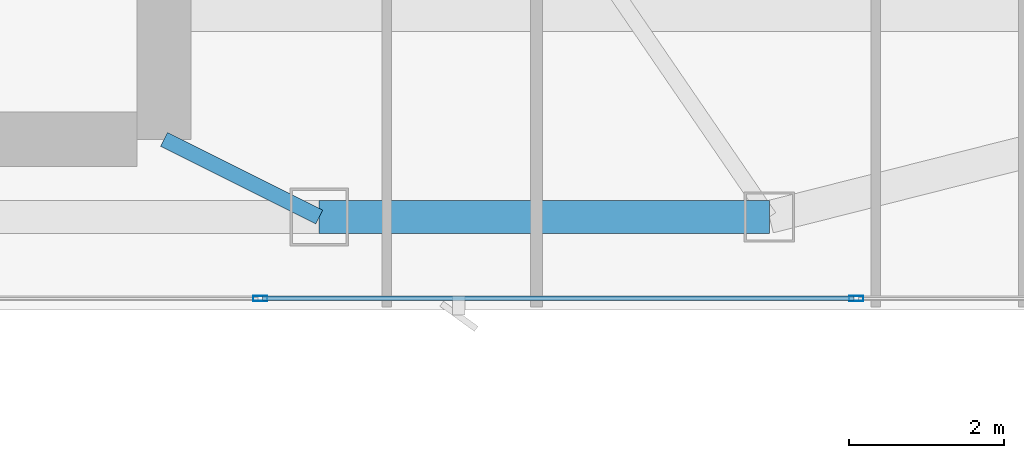
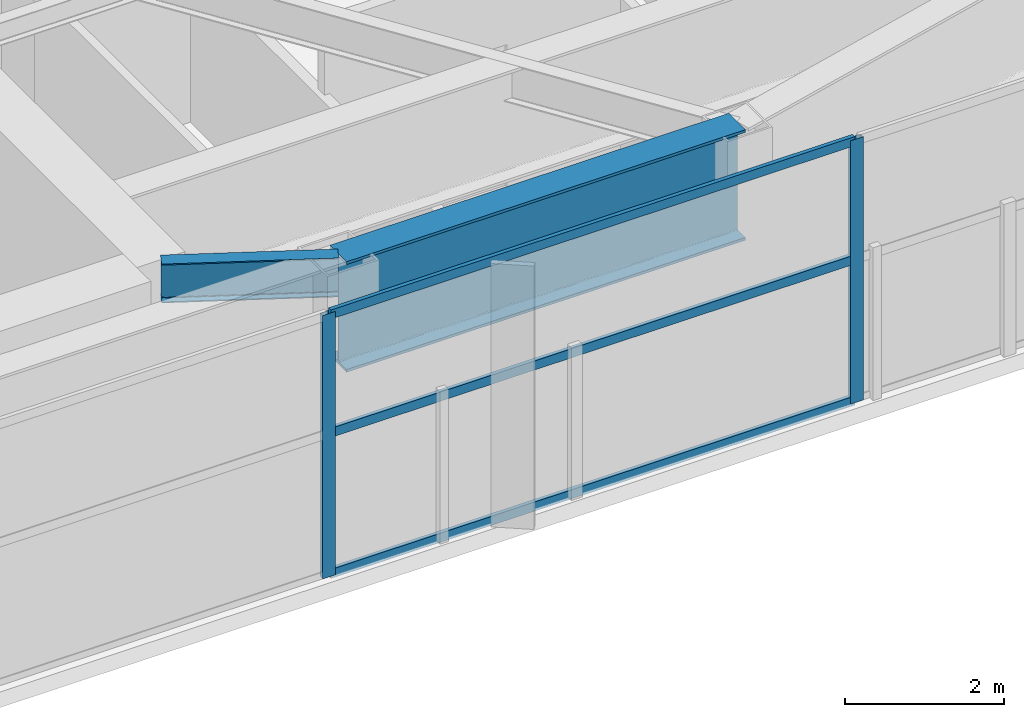
# One storey, part 12 of 29: 5 members, 2 beams, 1 element without a shape of its own.
"""IFC4 building model written with IfcOpenShell, lengths in metres."""

from ifc_helpers import new_model, si_unit, direction, frame, origin, origin_2d, place, context, subcontext, project, spatial, hollow_rectangle, i_section, extrude, material, layer, layer_set, material_profile, profile_set, type_object, element, aggregate, save


model = new_model("IFC4")

# Units and contexts
model_context = context("Model", 3, precision=1e-05, world=origin(), true_north=direction((0.0, 1.0)))
body_context = subcontext(model_context, "Body", "Model", "MODEL_VIEW")
ifc_project = project(units=[si_unit("LENGTHUNIT", "METRE"), si_unit("AREAUNIT", "SQUARE_METRE"), si_unit("VOLUMEUNIT", "CUBIC_METRE"), si_unit("PLANEANGLEUNIT", "RADIAN"), si_unit("MASSUNIT", "GRAM", prefix="KILO")], contexts=[model_context])

# Site, building, storey
site_placement = place(None, origin())
site = spatial("IfcSite", under=ifc_project, at=site_placement, CompositionType="ELEMENT")
building_placement = place(site_placement, origin())
building = spatial("IfcBuilding", under=site, at=building_placement, Name="Calvorn Quay Hotel", CompositionType="ELEMENT")
storey_placement = place(building_placement, frame((0.0, 0.0, 214.800048828125)))
storey = spatial("IfcBuildingStorey", under=building, at=storey_placement, Name="L53", CompositionType="ELEMENT", Elevation=214.800048828125)

# Beams
ifc_material_1 = material(Name="Steel Q355B", Category="steel")
ifc_material_profile_1 = material_profile(ifc_material_1, i_section(OverallWidth=0.199951171875, OverallDepth=0.60009765625, WebThickness=0.010986328125, FlangeThickness=0.01708984375, FilletRadius=0.01806640625, at=origin_2d()), Name="HN600x200x11x17")
ifc_profile_set_1 = profile_set([ifc_material_profile_1], Name="Steel Q355B")
beam_type_1 = type_object("IfcBeamType", Name="BM-GIRD-TYP", PredefinedType="BEAM", material=ifc_profile_set_1)
beam_1_placement = place(storey_placement, frame((34.39990234375, 3.60009765625, 3.75), z_axis=(-0.894427191, 0.4472135955, 0.0), x_axis=(-0.4472135955, -0.894427191, 0.0)))
element("IfcBeam", 1, at=beam_1_placement, inside=storey, type_object=beam_type_1, Name="Beam BG-L53-S3", PredefinedType="BEAM", context=body_context, shape_type="SweptSolid", body=[
    extrude(i_section(OverallWidth=0.199951171875, OverallDepth=0.60009765625, WebThickness=0.010986328125, FlangeThickness=0.01708984375, FilletRadius=0.01806640625, at=origin_2d()), origin(), (0.0, 0.0, 1.0), 2.236083984375),
])
ifc_material_2 = material(Name="Steel Q420GJC", Category="steel")
ifc_material_profile_2 = material_profile(ifc_material_2, i_section(OverallWidth=0.419921875, OverallDepth=1.699951171875, WebThickness=0.02392578125, FlangeThickness=0.0419921875, FilletRadius=0.02392578125, at=origin_2d()), Name="HN1700x420x24x42")
ifc_profile_set_2 = profile_set([ifc_material_profile_2], Name="Steel Q420GJC")
beam_type_2 = type_object("IfcBeamType", Name="BM-XFER-SAWTOOTH", PredefinedType="BEAM", material=ifc_profile_set_2)
beam_2_placement = place(storey_placement, frame((34.39990234375, 3.60009765625, 3.199951171875), z_axis=(1.0, 0.0, 0.0), x_axis=(0.0, 1.0, 0.0)))
element("IfcBeam", 2, at=beam_2_placement, inside=storey, type_object=beam_type_2, Name="Beam BSP-L53-S4", PredefinedType="BEAM", context=body_context, shape_type="SweptSolid", body=[
    extrude(i_section(OverallWidth=0.419921875, OverallDepth=1.699951171875, WebThickness=0.02392578125, FlangeThickness=0.0419921875, FilletRadius=0.02392578125, at=origin_2d()), origin(), (0.0, 0.0, 1.0), 5.800048828125),
])

# Curtain wall, members
ifc_material_3 = material(Name="Champagne Bronze Anodised Aluminium and Low-E Glass", Category="aluminium")
ifc_layer = layer(ifc_material_3, 0.219970703125)
ifc_layer_set = layer_set([ifc_layer], Name="CW-SYS-Z3")
curtain_wall_type = type_object("IfcCurtainWallType", Name="CW-SYS-Z3", PredefinedType="NOTDEFINED", material=ifc_layer_set)
curtain_wall_placement = place(storey_placement, origin())
curtain_wall = element("IfcCurtainWall", 3, at=curtain_wall_placement, inside=storey, type_object=curtain_wall_type, Name="Tower South Waterfront Curtain Wall (L53)", PredefinedType="NOTDEFINED")
ifc_material_4 = material(Name="Champagne Bronze Anodised Aluminium 6063-T6", Category="aluminium")
ifc_material_profile_3 = material_profile(ifc_material_4, hollow_rectangle(XDim=0.068115234375, YDim=0.18505859375, WallThickness=0.00390625, at=origin_2d()), Name="ALU-M185x68x4")
ifc_profile_set_3 = profile_set([ifc_material_profile_3], Name="Champagne Bronze Anodised Aluminium 6063-T6")
member_type_1 = type_object("IfcMemberType", Name="CW-SYS-Z3-MUL", PredefinedType="MULLION", material=ifc_profile_set_3)
member_1_placement = place(storey_placement, frame((33.639892578125, 2.550048828125, 0.0), z_axis=(0.0, 0.0, 1.0), x_axis=(0.0, 1.0, 0.0)))
member_1 = element("IfcMember", 4, at=member_1_placement, type_object=member_type_1, Name="CW-L53-S mullion 4", PredefinedType="MULLION", context=body_context, shape_type="SweptSolid", body=[
    extrude(hollow_rectangle(XDim=0.068115234375, YDim=0.18505859375, WallThickness=0.00390625, at=origin_2d()), origin(), (0.0, 0.0, 1.0), 4.050048828125),
])
member_2_placement = place(storey_placement, frame((41.320068359375, 2.550048828125, 0.0), z_axis=(0.0, 0.0, 1.0), x_axis=(0.0, 1.0, 0.0)))
member_2 = element("IfcMember", 5, at=member_2_placement, type_object=member_type_1, Name="CW-L53-S mullion 5", PredefinedType="MULLION", context=body_context, shape_type="SweptSolid", body=[
    extrude(hollow_rectangle(XDim=0.068115234375, YDim=0.18505859375, WallThickness=0.00390625, at=origin_2d()), origin(), (0.0, 0.0, 1.0), 4.050048828125),
])
ifc_material_5 = material(Name="Champagne Bronze Anodised Aluminium 6063-T6", Category="aluminium")
ifc_material_profile_4 = material_profile(ifc_material_5, hollow_rectangle(XDim=0.05810546875, YDim=0.139892578125, WallThickness=0.003173828125, at=origin_2d()), Name="ALU-T140x58x3.2")
ifc_profile_set_4 = profile_set([ifc_material_profile_4], Name="Champagne Bronze Anodised Aluminium 6063-T6")
member_type_2 = type_object("IfcMemberType", Name="CW-SYS-Z3-TRN", PredefinedType="USERDEFINED", material=ifc_profile_set_4)
member_3_placement = place(storey_placement, frame((33.669921875, 2.550048828125, 0.030029296875), z_axis=(1.0, 0.0, 0.0), x_axis=(0.0, 1.0, 0.0)))
member_3 = element("IfcMember", 6, at=member_3_placement, type_object=member_type_2, Name="CW-L53-S transom 4.1", ObjectType="TRANSOM", PredefinedType="USERDEFINED", context=body_context, shape_type="SweptSolid", body=[
    extrude(hollow_rectangle(XDim=0.05810546875, YDim=0.139892578125, WallThickness=0.003173828125, at=origin_2d()), origin(), (0.0, 0.0, 1.0), 7.6201171875),
])
member_4_placement = place(storey_placement, frame((33.669921875, 2.550048828125, 2.199951171875), z_axis=(1.0, 0.0, 0.0), x_axis=(0.0, 1.0, 0.0)))
member_4 = element("IfcMember", 7, at=member_4_placement, type_object=member_type_2, Name="CW-L53-S transom 4.2", ObjectType="TRANSOM", PredefinedType="USERDEFINED", context=body_context, shape_type="SweptSolid", body=[
    extrude(hollow_rectangle(XDim=0.05810546875, YDim=0.139892578125, WallThickness=0.003173828125, at=origin_2d()), origin(), (0.0, 0.0, 1.0), 7.6201171875),
])
member_5_placement = place(storey_placement, frame((33.669921875, 2.550048828125, 4.02001953125), z_axis=(1.0, 0.0, 0.0), x_axis=(0.0, 1.0, 0.0)))
member_5 = element("IfcMember", 8, at=member_5_placement, type_object=member_type_2, Name="CW-L53-S transom 4.3", ObjectType="TRANSOM", PredefinedType="USERDEFINED", context=body_context, shape_type="SweptSolid", body=[
    extrude(hollow_rectangle(XDim=0.05810546875, YDim=0.139892578125, WallThickness=0.003173828125, at=origin_2d()), origin(), (0.0, 0.0, 1.0), 7.6201171875),
])
aggregate(curtain_wall, [member_1, member_2, member_3, member_4, member_5])

save(model, "model.ifc")
